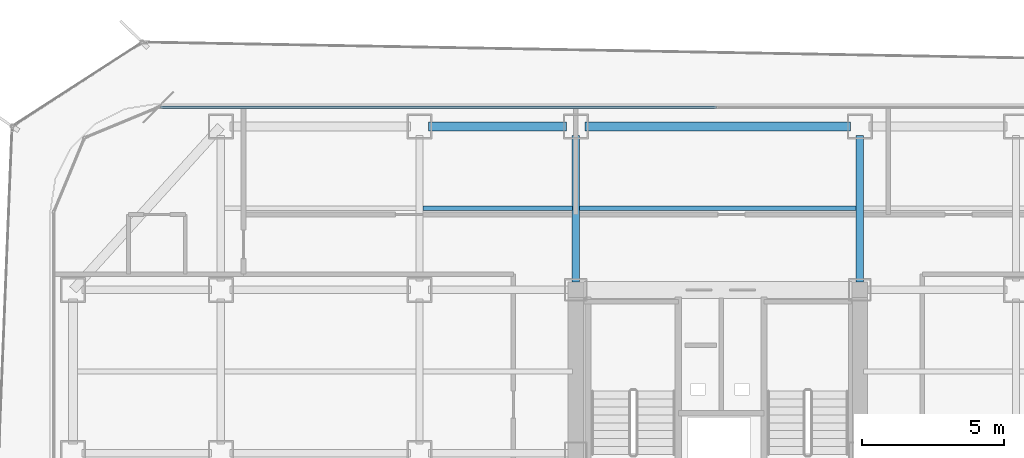
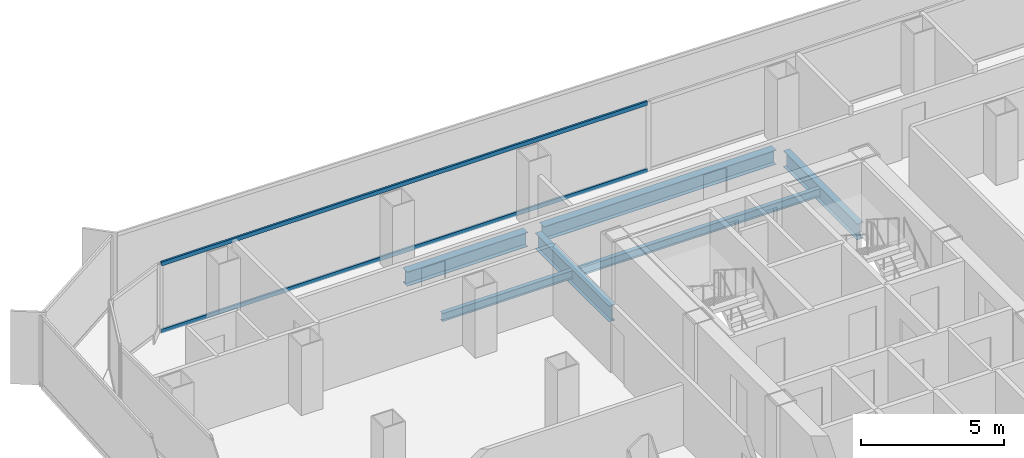
# One storey, part 11 of 21: 6 beams, 2 members, 1 element without a shape of its own.
"""IFC4 building model written with IfcOpenShell, lengths in metres."""

import ifcopenshell
import ifcopenshell.guid

model = None  # the IFC model being written
_history = None  # IfcOwnerHistory: only IFC2X3 demands one
_inside = {}  # id of a spatial element -> (the spatial element, [elements in it])
_under = {}  # id of a project, library or spatial element -> (it, [spatial elements below it])
_declared = {}  # id of a project -> (the project, [libraries it declares])
_typed = {}  # id of a type object -> (the type object, [elements of that type])
_made_of = {}  # id of a material, layer set ... -> (it, [elements and type objects made of it])


def new_model(schema):
    """Start an empty IFC model of exactly this schema.

    Asked for "IFC4X3", IfcOpenShell would pick the latest addendum, in which some entities
    have other attributes; the version numbers below select the first issue.
    IFC2X3 requires an IfcOwnerHistory on every rooted entity: one is made here for all.
    """
    global model, _history
    if schema == "IFC4X3":
        model = ifcopenshell.file(schema_version=(4, 3, 0, 0))
    else:
        model = ifcopenshell.file(schema=schema)
    _inside.clear()
    _under.clear()
    _declared.clear()
    _typed.clear()
    _made_of.clear()
    _history = None
    if model.schema == "IFC2X3":
        org = make("IfcOrganization", Name="unknown")
        user = make(
            "IfcPersonAndOrganization",
            ThePerson=make("IfcPerson", FamilyName="unknown"),
            TheOrganization=org,
        )
        app = make(
            "IfcApplication",
            ApplicationDeveloper=org,
            Version="unknown",
            ApplicationFullName="unknown",
            ApplicationIdentifier="unknown",
        )
        _history = make(
            "IfcOwnerHistory",
            OwningUser=user,
            OwningApplication=app,
            ChangeAction="ADDED",
            CreationDate=0,
        )
    return model


def make(cls, **values):
    """One entity of the class cls with the attributes given. An attribute that is None is left unset."""
    return model.create_entity(
        cls, **{name: value for name, value in values.items() if value is not None}
    )


def rooted(cls, **values):
    """An entity with a GlobalId (a new one), such as an element, a storey or a relation."""
    return make(cls, GlobalId=ifcopenshell.guid.new(), OwnerHistory=_history, **values)


def si_unit(unit_type, name, prefix=None):
    """IfcSIUnit, for example si_unit("LENGTHUNIT", "METRE", prefix="MILLI")."""
    return make("IfcSIUnit", UnitType=unit_type, Prefix=prefix, Name=name)


def assignment(units):
    """IfcUnitAssignment: the units of a project."""
    return None if units is None else make("IfcUnitAssignment", Units=units)


def point(xyz):
    """IfcCartesianPoint."""
    return None if xyz is None else make("IfcCartesianPoint", Coordinates=xyz)


def direction(xyz):
    """IfcDirection."""
    return None if xyz is None else make("IfcDirection", DirectionRatios=xyz)


def frame(location, z_axis=None, x_axis=None):
    """IfcAxis2Placement3D, a coordinate frame: its origin and axes. An axis left out is left unset."""
    return make(
        "IfcAxis2Placement3D",
        Location=point(location),
        Axis=direction(z_axis),
        RefDirection=direction(x_axis),
    )


def frame_2d(location, x_axis=None):
    """IfcAxis2Placement2D, a coordinate frame in the plane: its origin and x axis."""
    return make(
        "IfcAxis2Placement2D", Location=point(location), RefDirection=direction(x_axis)
    )


def origin():
    """The frame at (0, 0, 0) with its axes left unset."""
    return frame((0.0, 0.0, 0.0))


def origin_2d():
    """The frame at (0, 0) in the plane with its x axis left unset."""
    return frame_2d((0.0, 0.0))


def place(relative_to, where):
    """IfcLocalPlacement: puts the frame where relative to a parent placement (None: the world)."""
    return make(
        "IfcLocalPlacement", PlacementRelTo=relative_to, RelativePlacement=where
    )


def context(
    kind, dimensions, precision=None, world=None, true_north=None, identifier=None
):
    """IfcGeometricRepresentationContext, for example the 3D "Model" context."""
    return make(
        "IfcGeometricRepresentationContext",
        ContextIdentifier=identifier,
        ContextType=kind,
        CoordinateSpaceDimension=dimensions,
        Precision=precision,
        WorldCoordinateSystem=world,
        TrueNorth=true_north,
    )


def subcontext(parent, identifier, kind, view, scale=None):
    """IfcGeometricRepresentationSubContext, for example "Body" below "Model"."""
    return make(
        "IfcGeometricRepresentationSubContext",
        ContextIdentifier=identifier,
        ContextType=kind,
        ParentContext=parent,
        TargetScale=scale,
        TargetView=view,
    )


def project(units=None, contexts=None):
    """IfcProject with its units and contexts."""
    return rooted(
        "IfcProject",
        Name="project",
        RepresentationContexts=contexts,
        UnitsInContext=assignment(units),
    )


def spatial(cls, under=None, at=None, **own):
    """A site, building, storey or space (cls), placed at a placement, below another one or the project."""
    s = rooted(cls, ObjectPlacement=at, **own)
    if under is not None:
        _under.setdefault(under.id(), (under, []))[1].append(s)
    return s


def profile(cls, at=None, kind="AREA", **sizes):
    """A parametric profile (cls). Its sizes go by their IFC names, for example OverallWidth=200.0."""
    return make(cls, ProfileType=kind, Position=at, **sizes)


def hollow_rectangle(**sizes):
    """IfcRectangleHollowProfileDef."""
    return profile("IfcRectangleHollowProfileDef", **sizes)


def i_section(**sizes):
    """IfcIShapeProfileDef."""
    return profile("IfcIShapeProfileDef", **sizes)


def extrude(swept, where, along, depth):
    """IfcExtrudedAreaSolid: the profile swept, set in the frame where, extruded along a direction by depth."""
    return make(
        "IfcExtrudedAreaSolid",
        SweptArea=swept,
        Position=where,
        ExtrudedDirection=direction(along),
        Depth=depth,
    )


def shape(context_of_items, identifier, shape_type, items):
    """IfcShapeRepresentation: the items that make up one representation, for example the "Body"."""
    return make(
        "IfcShapeRepresentation",
        ContextOfItems=context_of_items,
        RepresentationIdentifier=identifier,
        RepresentationType=shape_type,
        Items=items,
    )


def source(mapping_origin, context_of_items, identifier, shape_type, items):
    """IfcRepresentationMap: a shape defined once, which mapped items show again and again."""
    return make(
        "IfcRepresentationMap",
        MappingOrigin=mapping_origin,
        MappedRepresentation=shape(context_of_items, identifier, shape_type, items),
    )


def transform(
    local_origin,
    x_axis=None,
    y_axis=None,
    z_axis=None,
    scale=None,
    scale2=None,
    scale3=None,
    uniform=True,
):
    """IfcCartesianTransformationOperator3D, or its non-uniform kind. x_axis, y_axis, z_axis: its Axis1, 2, 3."""
    if uniform:
        return make(
            "IfcCartesianTransformationOperator3D",
            Axis1=direction(x_axis),
            Axis2=direction(y_axis),
            LocalOrigin=point(local_origin),
            Scale=scale,
            Axis3=direction(z_axis),
        )
    return make(
        "IfcCartesianTransformationOperator3DnonUniform",
        Axis1=direction(x_axis),
        Axis2=direction(y_axis),
        LocalOrigin=point(local_origin),
        Scale=scale,
        Axis3=direction(z_axis),
        Scale2=scale2,
        Scale3=scale3,
    )


def mapped(mapping_source, mapping_target):
    """IfcMappedItem: shows the shape of a source again, moved by a transform."""
    return make(
        "IfcMappedItem", MappingSource=mapping_source, MappingTarget=mapping_target
    )


def material(Name=None, Category=None):
    """IfcMaterial."""
    return make("IfcMaterial", Name=Name, Category=Category)


def layer(
    of_material, thickness, ventilated=None, Name=None, Category=None, Priority=None
):
    """IfcMaterialLayer: one layer of a wall or slab, of a material (None: an air gap)."""
    return make(
        "IfcMaterialLayer",
        Material=of_material,
        LayerThickness=thickness,
        IsVentilated=ventilated,
        Name=Name,
        Category=Category,
        Priority=Priority,
    )


def layer_set(layers, Name=None):
    """IfcMaterialLayerSet."""
    return make("IfcMaterialLayerSet", MaterialLayers=layers, LayerSetName=Name)


def material_profile(
    of_material, cross_section, Name=None, Category=None, Priority=None
):
    """IfcMaterialProfile: a cross section and its material."""
    return make(
        "IfcMaterialProfile",
        Name=Name,
        Material=of_material,
        Profile=cross_section,
        Priority=Priority,
        Category=Category,
    )


def profile_set(profiles, Name=None, composite=None):
    """IfcMaterialProfileSet."""
    return make(
        "IfcMaterialProfileSet",
        Name=Name,
        MaterialProfiles=profiles,
        CompositeProfile=composite,
    )


def made_of(thing, what):
    """Note that an element or type object is made of a material, layer set ...; save() writes the relation."""
    if what is not None:
        _made_of.setdefault(what.id(), (what, []))[1].append(thing)
    return thing


def type_object(cls, material=None, **own):
    """A type object (cls), such as IfcWallType, which elements share."""
    return made_of(rooted(cls, **own), material)


def element(
    cls,
    number,
    at=None,
    inside=None,
    cuts=None,
    type_object=None,
    material=None,
    context=None,
    identifier="Body",
    shape_type=None,
    held_by="IfcProductDefinitionShape",
    body=None,
    shapes=None,
    **own,
):
    """One element of the class cls, such as IfcWall. Its Tag is "e" and its number.

    at: its placement. inside: the storey or other place that contains it. cuts: it is an
    opening in that element (IfcRelVoidsElement). A single representation is given by context,
    identifier, shape_type and body (its items); several are given by shapes. held_by: the class
    of the entity that holds the representations. save() writes the other relations.
    """
    e = rooted(cls, Tag="e%d" % number, ObjectPlacement=at, **own)
    if body is not None:
        shapes = [shape(context, identifier, shape_type, body)]
    if shapes is not None:
        e.Representation = make(held_by, Representations=shapes)
    if inside is not None:
        _inside.setdefault(inside.id(), (inside, []))[1].append(e)
    if cuts is not None:
        rooted(
            "IfcRelVoidsElement", RelatingBuildingElement=cuts, RelatedOpeningElement=e
        )
    if type_object is not None:
        _typed.setdefault(type_object.id(), (type_object, []))[1].append(e)
    return made_of(e, material)


def aggregate(whole, parts):
    """IfcRelAggregates: a whole, such as a stair, and the parts it consists of."""
    return rooted("IfcRelAggregates", RelatingObject=whole, RelatedObjects=parts)


def save(model, path):
    """Write the relations noted so far, then the file.

    IfcRelAggregates (storeys below a building ...), IfcRelContainedInSpatialStructure (elements
    in a storey), IfcRelDefinesByType, IfcRelAssociatesMaterial and IfcRelDeclares: one each for
    every whole, place, type object, material and project.
    """
    for whole, parts in _under.values():
        aggregate(whole, parts)
    for where, things in _inside.values():
        rooted(
            "IfcRelContainedInSpatialStructure",
            RelatedElements=things,
            RelatingStructure=where,
        )
    for kind, things in _typed.values():
        rooted("IfcRelDefinesByType", RelatedObjects=things, RelatingType=kind)
    for what, things in _made_of.values():
        rooted("IfcRelAssociatesMaterial", RelatedObjects=things, RelatingMaterial=what)
    for by, libraries in _declared.values():
        rooted("IfcRelDeclares", RelatingContext=by, RelatedDefinitions=libraries)
    model.write(path)


model = new_model("IFC4")

# Units and contexts
model_context = context("Model", 3, precision=1e-05, world=origin(), true_north=direction((0.0, 1.0)))
body_context = subcontext(model_context, "Body", "Model", "MODEL_VIEW")
ifc_project = project(units=[si_unit("LENGTHUNIT", "METRE"), si_unit("AREAUNIT", "SQUARE_METRE"), si_unit("VOLUMEUNIT", "CUBIC_METRE"), si_unit("PLANEANGLEUNIT", "RADIAN"), si_unit("MASSUNIT", "GRAM", prefix="KILO")], contexts=[model_context])

# Site, building, storey
site_placement = place(None, origin())
site = spatial("IfcSite", under=ifc_project, at=site_placement, CompositionType="ELEMENT")
building_placement = place(site_placement, origin())
building = spatial("IfcBuilding", under=site, at=building_placement, Name="Kolveth Station Tower", CompositionType="ELEMENT")
storey_placement = place(building_placement, frame((0.0, 0.0, 92.699951171875)))
storey = spatial("IfcBuildingStorey", under=building, at=storey_placement, Name="L24", CompositionType="ELEMENT", Elevation=92.699951171875)

# Beams
ifc_material_1 = material(Name="Steel S355", Category="steel")
ifc_material_profile_1 = material_profile(ifc_material_1, i_section(OverallWidth=0.323974609375, OverallDepth=0.611083984375, WebThickness=0.0126953125, FlangeThickness=0.01904296875, at=origin_2d()), Name="W610x155")
ifc_profile_set_1 = profile_set([ifc_material_profile_1], Name="Steel S355")
beam_type_1 = type_object("IfcBeamType", Name="Beam_SP2", PredefinedType="SPANDREL", material=ifc_profile_set_1)
shared_shape_1 = source(origin(), body_context, "Body", "SweptSolid", [
    extrude(i_section(OverallWidth=0.323974609375, OverallDepth=0.611083984375, WebThickness=0.0126953125, FlangeThickness=0.01904296875, at=origin_2d()), origin(), (0.0, 0.0, 1.0), 4.85986328125),
])
beam_1_placement = place(storey_placement, frame((13.320068359375, 34.5, -0.555419921875), z_axis=(1.0, 0.0, 0.0), x_axis=(0.0, 1.0, 0.0)))
element("IfcBeam", 1, at=beam_1_placement, inside=storey, type_object=beam_type_1, Name="L24 Perimeter Spandrel BM-L24-PN-2", PredefinedType="SPANDREL", context=body_context, shape_type="MappedRepresentation", body=[
    mapped(shared_shape_1, transform((0.0, 0.0, 0.0), x_axis=(1.0, 0.0, 0.0), y_axis=(0.0, 1.0, 0.0), z_axis=(0.0, 0.0, 1.0), scale=1.0)),
])
shared_shape_2 = source(origin(), body_context, "Body", "SweptSolid", [
    extrude(i_section(OverallWidth=0.323974609375, OverallDepth=0.611083984375, WebThickness=0.0126953125, FlangeThickness=0.01904296875, at=origin_2d()), origin(), (0.0, 0.0, 1.0), 9.35986328125),
])
beam_2_placement = place(storey_placement, frame((18.820068359375, 34.5, -0.555419921875), z_axis=(1.0, 0.0, 0.0), x_axis=(0.0, 1.0, 0.0)))
element("IfcBeam", 2, at=beam_2_placement, inside=storey, type_object=beam_type_1, Name="L24 Perimeter Spandrel BM-L24-PN-3", PredefinedType="SPANDREL", context=body_context, shape_type="MappedRepresentation", body=[
    mapped(shared_shape_2, transform((0.0, 0.0, 0.0), x_axis=(1.0, 0.0, 0.0), y_axis=(0.0, 1.0, 0.0), z_axis=(0.0, 0.0, 1.0), scale=1.0)),
])
ifc_material_profile_2 = material_profile(ifc_material_1, i_section(OverallWidth=0.25390625, OverallDepth=0.68798828125, WebThickness=0.01318359375, FlangeThickness=0.02099609375, at=origin_2d()), Name="W690x152")
ifc_profile_set_2 = profile_set([ifc_material_profile_2], Name="Steel S355")
beam_type_2 = type_object("IfcBeamType", Name="Beam_B4", PredefinedType="BEAM", material=ifc_profile_set_2)
shared_shape_3 = source(origin(), body_context, "Body", "SweptSolid", [
    extrude(i_section(OverallWidth=0.25390625, OverallDepth=0.68798828125, WebThickness=0.01318359375, FlangeThickness=0.02099609375, at=origin_2d()), origin(), (0.0, 0.0, 1.0), 5.14990234375),
])
for number, where, z_axis, x_axis, name in (
    (3, (18.5, 29.030029296875, -0.593994140625), (0.0, 1.0, 0.0), (-1.0, 0.0, 0.0), "L24 Primary Girder BM-L24-GX185-6"),
    (4, (28.5, 29.030029296875, -0.593994140625), (0.0, 1.0, 0.0), (-1.0, 0.0, 0.0), "L24 Primary Girder BM-L24-GX285-6"),
):
    element("IfcBeam", number, at=place(storey_placement, frame(where, z_axis=z_axis, x_axis=x_axis)), inside=storey, type_object=beam_type_2, Name=name, PredefinedType="BEAM", context=body_context, shape_type="MappedRepresentation", body=[
        mapped(shared_shape_3, transform((0.0, 0.0, 0.0), x_axis=(1.0, 0.0, 0.0), y_axis=(0.0, 1.0, 0.0), z_axis=(0.0, 0.0, 1.0), scale=1.0)),
    ])
ifc_material_profile_3 = material_profile(ifc_material_1, i_section(OverallWidth=0.1708984375, OverallDepth=0.35205078125, WebThickness=0.0068359375, FlangeThickness=0.009765625, at=origin_2d()), Name="W360x44")
ifc_profile_set_3 = profile_set([ifc_material_profile_3], Name="Steel S355")
beam_type_3 = type_object("IfcBeamType", Name="Beam_J2", PredefinedType="JOIST", material=ifc_profile_set_3)
shared_shape_4 = source(origin(), body_context, "Body", "SweptSolid", [
    extrude(i_section(OverallWidth=0.1708984375, OverallDepth=0.35205078125, WebThickness=0.0068359375, FlangeThickness=0.009765625, at=origin_2d()), origin(), (0.0, 0.0, 1.0), 5.25),
])
beam_3_placement = place(storey_placement, frame((13.125, 31.625, -0.426025390625), z_axis=(1.0, 0.0, 0.0), x_axis=(0.0, 1.0, 0.0)))
element("IfcBeam", 5, at=beam_3_placement, inside=storey, type_object=beam_type_3, Name="L24 Secondary Joist JST-L24-3-6", PredefinedType="JOIST", context=body_context, shape_type="MappedRepresentation", body=[
    mapped(shared_shape_4, transform((0.0, 0.0, 0.0), x_axis=(1.0, 0.0, 0.0), y_axis=(0.0, 1.0, 0.0), z_axis=(0.0, 0.0, 1.0), scale=1.0)),
])
shared_shape_5 = source(origin(), body_context, "Body", "SweptSolid", [
    extrude(i_section(OverallWidth=0.1708984375, OverallDepth=0.35205078125, WebThickness=0.0068359375, FlangeThickness=0.009765625, at=origin_2d()), origin(), (0.0, 0.0, 1.0), 9.75),
])
beam_4_placement = place(storey_placement, frame((18.625, 31.625, -0.426025390625), z_axis=(1.0, 0.0, 0.0), x_axis=(0.0, 1.0, 0.0)))
element("IfcBeam", 6, at=beam_4_placement, inside=storey, type_object=beam_type_3, Name="L24 Secondary Joist JST-L24-4-6", PredefinedType="JOIST", context=body_context, shape_type="MappedRepresentation", body=[
    mapped(shared_shape_5, transform((0.0, 0.0, 0.0), x_axis=(1.0, 0.0, 0.0), y_axis=(0.0, 1.0, 0.0), z_axis=(0.0, 0.0, 1.0), scale=1.0)),
])

# Curtain wall, members
ifc_material_2 = material(Name="Aluminium 6063-T6 and low-E dark glass", Category="aluminium")
ifc_layer = layer(ifc_material_2, 0.18994140625)
ifc_layer_set = layer_set([ifc_layer], Name="Aluminium 6063-T6 and low-E dark glass")
curtain_wall_type = type_object("IfcCurtainWallType", Name="CurtainWall_CW-Z2", PredefinedType="NOTDEFINED", material=ifc_layer_set)
curtain_wall_placement = place(storey_placement, origin())
curtain_wall = element("IfcCurtainWall", 7, at=curtain_wall_placement, inside=storey, type_object=curtain_wall_type, Name="L24 Inner Thermal Curtain Wall 6", PredefinedType="NOTDEFINED")
ifc_material_3 = material(Name="Black anodized aluminium 6063-T6", Category="aluminium")
ifc_material_profile_4 = material_profile(ifc_material_3, hollow_rectangle(XDim=0.080078125, YDim=0.169921875, WallThickness=0.0048828125, at=origin_2d()), Name="ALU-80x170x5")
ifc_profile_set_4 = profile_set([ifc_material_profile_4], Name="Black anodized aluminium 6063-T6")
member_type = type_object("IfcMemberType", Name="Transom_TR2", PredefinedType="USERDEFINED", material=ifc_profile_set_4)
shared_shape_6 = source(origin(), body_context, "Body", "SweptSolid", [
    extrude(hollow_rectangle(XDim=0.080078125, YDim=0.169921875, WallThickness=0.0048828125, at=origin_2d()), origin(), (0.0, 0.0, 1.0), 19.580078125),
])
member_1_placement = place(storey_placement, frame((23.4599609375, 35.179931640625, 0.0400390625), z_axis=(-1.0, 0.0, 0.0), x_axis=(0.0, -1.0, 0.0)))
member_1 = element("IfcMember", 8, at=member_1_placement, type_object=member_type, Name="CW-Z2 transom 2.1", ObjectType="TRANSOM", PredefinedType="USERDEFINED", context=body_context, shape_type="MappedRepresentation", body=[
    mapped(shared_shape_6, transform((0.0, 0.0, 0.0), x_axis=(1.0, 0.0, 0.0), y_axis=(0.0, 1.0, 0.0), z_axis=(0.0, 0.0, 1.0), scale=1.0)),
])
member_2_placement = place(storey_placement, frame((23.4599609375, 35.179931640625, 2.91015625), z_axis=(-1.0, 0.0, 0.0), x_axis=(0.0, -1.0, 0.0)))
member_2 = element("IfcMember", 9, at=member_2_placement, type_object=member_type, Name="CW-Z2 transom 2.2", ObjectType="TRANSOM", PredefinedType="USERDEFINED", context=body_context, shape_type="MappedRepresentation", body=[
    mapped(shared_shape_6, transform((0.0, 0.0, 0.0), x_axis=(1.0, 0.0, 0.0), y_axis=(0.0, 1.0, 0.0), z_axis=(0.0, 0.0, 1.0), scale=1.0)),
])
aggregate(curtain_wall, [member_1, member_2])

save(model, "model.ifc")
